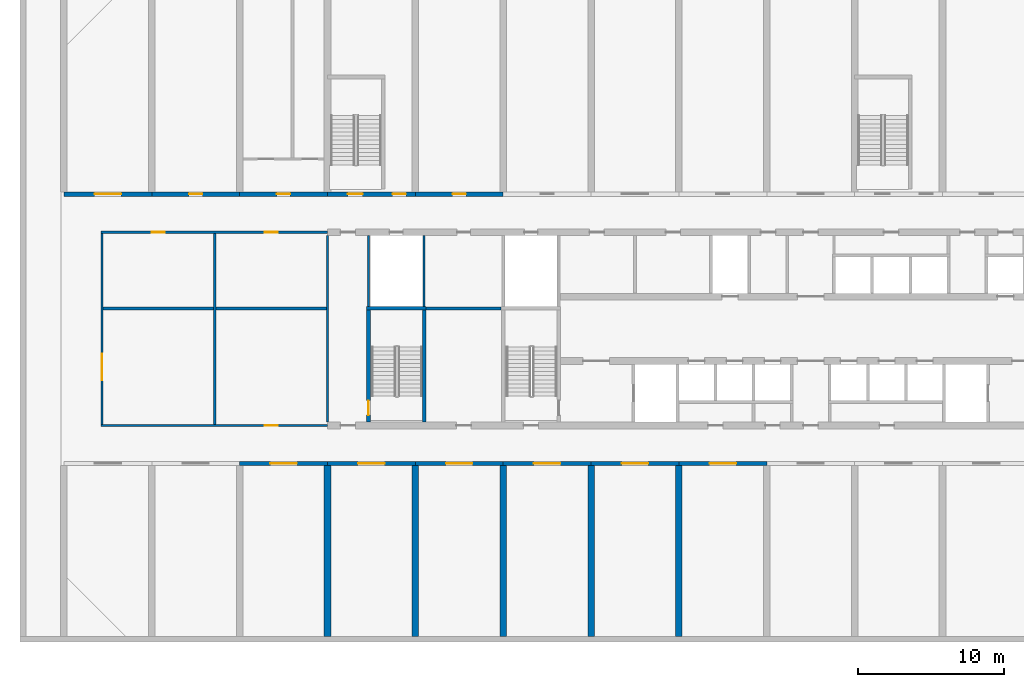
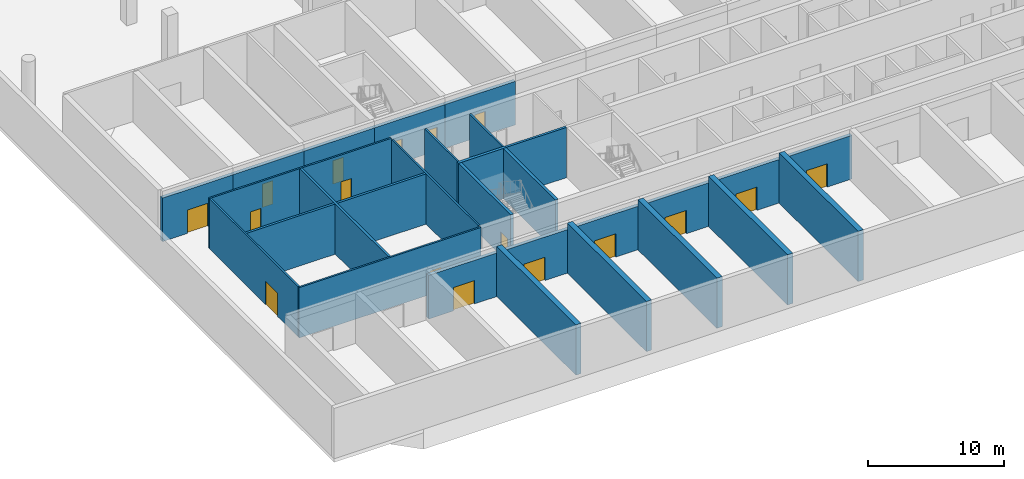
# One storey, part 6 of 20: 28 walls, 17 doors, 17 openings.
"""IFC4 building model written with IfcOpenShell, lengths in metres."""

from ifc_helpers import new_model, si_unit, direction, frame, frame_2d, origin, place, context, subcontext, project, spatial, rectangle, extrude, material, layer, layer_set, type_object, element, fill, save


model = new_model("IFC4")

# Units and contexts
model_context = context("Model", 3, precision=1e-05, world=origin(), true_north=direction((0.0, 1.0)))
body_context = subcontext(model_context, "Body", "Model", "MODEL_VIEW")
ifc_project = project(units=[si_unit("LENGTHUNIT", "METRE"), si_unit("AREAUNIT", "SQUARE_METRE"), si_unit("VOLUMEUNIT", "CUBIC_METRE"), si_unit("PLANEANGLEUNIT", "RADIAN"), si_unit("MASSUNIT", "GRAM", prefix="KILO")], contexts=[model_context])

# Site, building, storey
site_placement = place(None, origin())
site = spatial("IfcSite", under=ifc_project, at=site_placement, CompositionType="ELEMENT")
building_placement = place(site_placement, origin())
building = spatial("IfcBuilding", under=site, at=building_placement, Name="Poui Terraces", CompositionType="ELEMENT")
storey_placement = place(building_placement, frame((0.0, 0.0, 6.0)))
storey = spatial("IfcBuildingStorey", under=building, at=storey_placement, Name="L01", CompositionType="ELEMENT", Elevation=6.0)

# Walls
ifc_material_1 = material(Name="Fire-rated masonry wall", Category="masonry")
ifc_layer_1 = layer(ifc_material_1, 0.199951171875)
ifc_layer_set_1 = layer_set([ifc_layer_1], Name="Fire-rated masonry wall")
wall_type_1 = type_object("IfcWallType", Name="COMPARTMENT WALL 200", PredefinedType="PARTITIONING", material=ifc_layer_set_1)
wall_1_placement = place(storey_placement, frame((2.675048828125, 22.60009765625, 0.0), z_axis=(0.0, 0.0, 1.0), x_axis=(1.0, 0.0, 0.0)))
element("IfcWall", 1, at=wall_1_placement, inside=storey, type_object=wall_type_1, Name="COMPARTMENT WALL 200", PredefinedType="PARTITIONING", context=body_context, shape_type="SweptSolid", body=[
    extrude(rectangle(XDim=15.25, YDim=0.199951171875, at=frame_2d((7.625, 0.0))), origin(), (0.0, 0.0, 1.0), 4.52001953125),
])
wall_2_placement = place(storey_placement, frame((24.735107421875, 22.60009765625, 0.0), z_axis=(0.0, 0.0, 1.0), x_axis=(1.0, 0.0, 0.0)))
element("IfcWall", 2, at=wall_2_placement, inside=storey, type_object=wall_type_1, Name="COMPARTMENT WALL 200", PredefinedType="PARTITIONING", context=body_context, shape_type="SweptSolid", body=[
    extrude(rectangle(XDim=5.1298828125, YDim=0.199951171875, at=frame_2d((2.56494140625, 0.0))), origin(), (0.0, 0.0, 1.0), 4.52001953125),
])
wall_3_placement = place(storey_placement, frame((10.300048828125, 14.675048828125, 0.0), z_axis=(0.0, 0.0, 1.0), x_axis=(0.0, 1.0, 0.0)))
element("IfcWall", 3, at=wall_3_placement, inside=storey, type_object=wall_type_1, Name="COMPARTMENT WALL 200", PredefinedType="PARTITIONING", context=body_context, shape_type="SweptSolid", body=[
    extrude(rectangle(XDim=13.050048828125, YDim=0.199951171875, at=frame_2d((6.52490234375, 0.0))), origin(), (0.0, 0.0, 1.0), 4.52001953125),
])

# Wall, opening, door
ifc_material_2 = material(Name="Fire-rated plasterboard wall")
ifc_layer_2 = layer(ifc_material_2, 0.14990234375)
ifc_layer_set_2 = layer_set([ifc_layer_2], Name="Fire-rated plasterboard wall")
wall_type_2 = type_object("IfcWallType", Name="CORRIDOR WALL 150", PredefinedType="PARTITIONING", material=ifc_layer_set_2)
wall_4_placement = place(storey_placement, frame((2.52490234375, 14.60009765625, 0.0), z_axis=(0.0, 0.0, 1.0), x_axis=(1.0, 0.0, 0.0)))
wall_4 = element("IfcWall", 4, at=wall_4_placement, inside=storey, type_object=wall_type_2, Name="CORRIDOR WALL 150", PredefinedType="PARTITIONING", context=body_context, shape_type="SweptSolid", body=[
    extrude(rectangle(XDim=15.465087890625, YDim=0.14990234375, at=frame_2d((7.732421875, 0.0))), origin(), (0.0, 0.0, 1.0), 4.52001953125),
])
opening_1_placement = place(wall_4_placement, frame((11.175048828125, 0.0, 0.0)))
opening_1 = element("IfcOpeningElement", 5, at=opening_1_placement, cuts=wall_4, Name="Opening D90", PredefinedType="OPENING", context=body_context, shape_type="SweptSolid", body=[
    extrude(rectangle(XDim=0.89990234375, YDim=2.10009765625, at=frame_2d((0.449951171875, 1.050048828125))), frame((0.0, 0.0849609375, 0.0), z_axis=(0.0, -1.0, 0.0), x_axis=(1.0, 0.0, 0.0)), (0.0, 0.0, 1.0), 0.169921875),
])
ifc_material_3 = material(Name="Solid core timber door", Category="wood")
door_type_1 = type_object("IfcDoorType", Name="INTERNAL DOOR 900 X 2100", OperationType="NOTDEFINED", PredefinedType="DOOR", material=ifc_material_3)
door_1_placement = place(opening_1_placement, frame((0.89990234375, 0.0, 0.0), z_axis=(0.0, 0.0, 1.0), x_axis=(-1.0, 0.0, 0.0)))
door_1 = element("IfcDoor", 6, at=door_1_placement, inside=storey, type_object=door_type_1, Name="INTERNAL DOOR 044", OperationType="SINGLE_SWING_LEFT", OverallHeight=2.10009765625, OverallWidth=0.89990234375, PredefinedType="DOOR", context=body_context, shape_type="SweptSolid", body=[
    extrude(rectangle(XDim=0.89990234375, YDim=2.10009765625, at=frame_2d((0.449951171875, 1.050048828125))), frame((0.0, 0.02490234375, 0.0), z_axis=(0.0, -1.0, 0.0), x_axis=(1.0, 0.0, 0.0)), (0.0, 0.0, 1.0), 0.050048828125),
])
fill(opening_1, door_1)

# Wall, openings, doors
wall_5_placement = place(storey_placement, frame((2.52490234375, 27.800048828125, 0.0), z_axis=(0.0, 0.0, 1.0), x_axis=(1.0, 0.0, 0.0)))
wall_5 = element("IfcWall", 7, at=wall_5_placement, inside=storey, type_object=wall_type_2, Name="CORRIDOR WALL 150", PredefinedType="PARTITIONING", context=body_context, shape_type="SweptSolid", body=[
    extrude(rectangle(XDim=15.465087890625, YDim=0.14990234375, at=frame_2d((7.732421875, 0.0))), origin(), (0.0, 0.0, 1.0), 4.52001953125),
])
opening_2_placement = place(wall_5_placement, frame((3.47509765625, 0.0, 0.0)))
opening_2 = element("IfcOpeningElement", 8, at=opening_2_placement, cuts=wall_5, Name="Opening D90", PredefinedType="OPENING", context=body_context, shape_type="SweptSolid", body=[
    extrude(rectangle(XDim=0.89990234375, YDim=2.10009765625, at=frame_2d((0.449951171875, 1.050048828125))), frame((0.0, 0.0849609375, 0.0), z_axis=(0.0, -1.0, 0.0), x_axis=(1.0, 0.0, 0.0)), (0.0, 0.0, 1.0), 0.169921875),
])
opening_3_placement = place(wall_5_placement, frame((11.175048828125, 0.0, 0.0)))
opening_3 = element("IfcOpeningElement", 9, at=opening_3_placement, cuts=wall_5, Name="Opening D90", PredefinedType="OPENING", context=body_context, shape_type="SweptSolid", body=[
    extrude(rectangle(XDim=0.89990234375, YDim=2.10009765625, at=frame_2d((0.449951171875, 1.050048828125))), frame((0.0, 0.0849609375, 0.0), z_axis=(0.0, -1.0, 0.0), x_axis=(1.0, 0.0, 0.0)), (0.0, 0.0, 1.0), 0.169921875),
])
door_2_placement = place(opening_2_placement, origin())
door_2 = element("IfcDoor", 10, at=door_2_placement, inside=storey, type_object=door_type_1, Name="INTERNAL DOOR 003", OperationType="SINGLE_SWING_RIGHT", OverallHeight=2.10009765625, OverallWidth=0.89990234375, PredefinedType="DOOR", context=body_context, shape_type="SweptSolid", body=[
    extrude(rectangle(XDim=0.89990234375, YDim=2.10009765625, at=frame_2d((0.449951171875, 1.050048828125))), frame((0.0, 0.02490234375, 0.0), z_axis=(0.0, -1.0, 0.0), x_axis=(1.0, 0.0, 0.0)), (0.0, 0.0, 1.0), 0.050048828125),
])
fill(opening_2, door_2)
door_3_placement = place(opening_3_placement, origin())
door_3 = element("IfcDoor", 11, at=door_3_placement, inside=storey, type_object=door_type_1, Name="INTERNAL DOOR 005", OperationType="SINGLE_SWING_LEFT", OverallHeight=2.10009765625, OverallWidth=0.89990234375, PredefinedType="DOOR", context=body_context, shape_type="SweptSolid", body=[
    extrude(rectangle(XDim=0.89990234375, YDim=2.10009765625, at=frame_2d((0.449951171875, 1.050048828125))), frame((0.0, 0.02490234375, 0.0), z_axis=(0.0, -1.0, 0.0), x_axis=(1.0, 0.0, 0.0)), (0.0, 0.0, 1.0), 0.050048828125),
])
fill(opening_3, door_3)

# Wall, opening, door
wall_6_placement = place(storey_placement, frame((2.60009765625, 14.675048828125, 0.0), z_axis=(0.0, 0.0, 1.0), x_axis=(0.0, 1.0, 0.0)))
wall_6 = element("IfcWall", 12, at=wall_6_placement, inside=storey, type_object=wall_type_2, Name="CORRIDOR WALL 150", PredefinedType="PARTITIONING", context=body_context, shape_type="SweptSolid", body=[
    extrude(rectangle(XDim=13.050048828125, YDim=0.14990234375, at=frame_2d((6.52490234375, 0.0))), origin(), (0.0, 0.0, 1.0), 4.52001953125),
])
opening_4_placement = place(wall_6_placement, frame((3.02490234375, 0.0, 0.0)))
opening_4 = element("IfcOpeningElement", 13, at=opening_4_placement, cuts=wall_6, Name="Opening DD180", PredefinedType="OPENING", context=body_context, shape_type="SweptSolid", body=[
    extrude(rectangle(XDim=1.800048828125, YDim=2.10009765625, at=frame_2d((0.89990234375, 1.050048828125))), frame((0.0, 0.0849609375, 0.0), z_axis=(0.0, -1.0, 0.0), x_axis=(1.0, 0.0, 0.0)), (0.0, 0.0, 1.0), 0.169921875),
])
ifc_material_4 = material(Name="Steel fire door", Category="steel")
door_type_2 = type_object("IfcDoorType", Name="DOUBLE INTERNAL DOOR 1800 X 2100", OperationType="DOUBLE_DOOR_SINGLE_SWING", PredefinedType="DOOR", material=ifc_material_4)
door_4_placement = place(opening_4_placement, origin())
door_4 = element("IfcDoor", 14, at=door_4_placement, inside=storey, type_object=door_type_2, Name="DOUBLE INTERNAL DOOR 071", OperationType="DOUBLE_DOOR_SINGLE_SWING", OverallHeight=2.10009765625, OverallWidth=1.800048828125, PredefinedType="DOOR", context=body_context, shape_type="SweptSolid", body=[
    extrude(rectangle(XDim=1.800048828125, YDim=2.10009765625, at=frame_2d((0.89990234375, 1.050048828125))), frame((0.0, 0.02490234375, 0.0), z_axis=(0.0, -1.0, 0.0), x_axis=(1.0, 0.0, 0.0)), (0.0, 0.0, 1.0), 0.050048828125),
])
fill(opening_4, door_4)

# Wall
wall_7_placement = place(storey_placement, frame((18.0, 14.8349609375, 0.0), z_axis=(0.0, 0.0, 1.0), x_axis=(0.0, 1.0, 0.0)))
element("IfcWall", 15, at=wall_7_placement, inside=storey, type_object=wall_type_2, Name="CORRIDOR WALL 150", PredefinedType="PARTITIONING", context=body_context, shape_type="SweptSolid", body=[
    extrude(rectangle(XDim=12.72998046875, YDim=0.14990234375, at=frame_2d((6.364990234375, 0.0))), origin(), (0.0, 0.0, 1.0), 4.52001953125),
])

# Wall, opening, door
ifc_material_5 = material(Name="Concrete 80 MPa", Category="concrete")
ifc_layer_3 = layer(ifc_material_5, 0.300048828125)
ifc_layer_set_3 = layer_set([ifc_layer_3], Name="Concrete 80 MPa")
wall_type_3 = type_object("IfcWallType", Name="CORRIDOR WALL 300 80MPa", PredefinedType="SHEAR", material=ifc_layer_set_3)
wall_8_placement = place(storey_placement, frame((12.0, 12.0, 0.0), z_axis=(0.0, 0.0, 1.0), x_axis=(1.0, 0.0, 0.0)))
wall_8 = element("IfcWall", 16, at=wall_8_placement, inside=storey, type_object=wall_type_3, Name="CORRIDOR WALL LINE B BAY 3", PredefinedType="SHEAR", context=body_context, shape_type="SweptSolid", body=[
    extrude(rectangle(XDim=6.0, YDim=0.300048828125, at=frame_2d((3.0, 0.0))), origin(), (0.0, 0.0, 1.0), 3.919921875),
])
opening_5_placement = place(wall_8_placement, frame((2.10009765625, 0.0, 0.0)))
opening_5 = element("IfcOpeningElement", 17, at=opening_5_placement, cuts=wall_8, Name="Opening DD180", PredefinedType="OPENING", context=body_context, shape_type="SweptSolid", body=[
    extrude(rectangle(XDim=1.800048828125, YDim=2.10009765625, at=frame_2d((0.89990234375, 1.050048828125))), frame((0.0, 0.16015625, 0.0), z_axis=(0.0, -1.0, 0.0), x_axis=(1.0, 0.0, 0.0)), (0.0, 0.0, 1.0), 0.320068359375),
])
door_5_placement = place(opening_5_placement, origin())
door_5 = element("IfcDoor", 18, at=door_5_placement, inside=storey, type_object=door_type_2, Name="DOUBLE INTERNAL DOOR 045", OperationType="DOUBLE_DOOR_SINGLE_SWING", OverallHeight=2.10009765625, OverallWidth=1.800048828125, PredefinedType="DOOR", context=body_context, shape_type="SweptSolid", body=[
    extrude(rectangle(XDim=1.800048828125, YDim=2.10009765625, at=frame_2d((0.89990234375, 1.050048828125))), frame((0.0, 0.02490234375, 0.0), z_axis=(0.0, -1.0, 0.0), x_axis=(1.0, 0.0, 0.0)), (0.0, 0.0, 1.0), 0.050048828125),
])
fill(opening_5, door_5)

wall_9_placement = place(storey_placement, frame((18.0, 12.0, 0.0), z_axis=(0.0, 0.0, 1.0), x_axis=(1.0, 0.0, 0.0)))
wall_9 = element("IfcWall", 19, at=wall_9_placement, inside=storey, type_object=wall_type_3, Name="CORRIDOR WALL LINE B BAY 4", PredefinedType="SHEAR", context=body_context, shape_type="SweptSolid", body=[
    extrude(rectangle(XDim=6.0, YDim=0.300048828125, at=frame_2d((3.0, 0.0))), origin(), (0.0, 0.0, 1.0), 3.919921875),
])
opening_6_placement = place(wall_9_placement, frame((2.10009765625, 0.0, 0.0)))
opening_6 = element("IfcOpeningElement", 20, at=opening_6_placement, cuts=wall_9, Name="Opening DD180", PredefinedType="OPENING", context=body_context, shape_type="SweptSolid", body=[
    extrude(rectangle(XDim=1.800048828125, YDim=2.10009765625, at=frame_2d((0.89990234375, 1.050048828125))), frame((0.0, 0.16015625, 0.0), z_axis=(0.0, -1.0, 0.0), x_axis=(1.0, 0.0, 0.0)), (0.0, 0.0, 1.0), 0.320068359375),
])
door_6_placement = place(opening_6_placement, origin())
door_6 = element("IfcDoor", 21, at=door_6_placement, inside=storey, type_object=door_type_2, Name="DOUBLE INTERNAL DOOR 047", OperationType="DOUBLE_DOOR_SINGLE_SWING", OverallHeight=2.10009765625, OverallWidth=1.800048828125, PredefinedType="DOOR", context=body_context, shape_type="SweptSolid", body=[
    extrude(rectangle(XDim=1.800048828125, YDim=2.10009765625, at=frame_2d((0.89990234375, 1.050048828125))), frame((0.0, 0.02490234375, 0.0), z_axis=(0.0, -1.0, 0.0), x_axis=(1.0, 0.0, 0.0)), (0.0, 0.0, 1.0), 0.050048828125),
])
fill(opening_6, door_6)

wall_10_placement = place(storey_placement, frame((24.0, 12.0, 0.0), z_axis=(0.0, 0.0, 1.0), x_axis=(1.0, 0.0, 0.0)))
wall_10 = element("IfcWall", 22, at=wall_10_placement, inside=storey, type_object=wall_type_3, Name="CORRIDOR WALL LINE B BAY 5", PredefinedType="SHEAR", context=body_context, shape_type="SweptSolid", body=[
    extrude(rectangle(XDim=6.0, YDim=0.300048828125, at=frame_2d((3.0, 0.0))), origin(), (0.0, 0.0, 1.0), 3.919921875),
])
opening_7_placement = place(wall_10_placement, frame((2.10009765625, 0.0, 0.0)))
opening_7 = element("IfcOpeningElement", 23, at=opening_7_placement, cuts=wall_10, Name="Opening DD180", PredefinedType="OPENING", context=body_context, shape_type="SweptSolid", body=[
    extrude(rectangle(XDim=1.800048828125, YDim=2.10009765625, at=frame_2d((0.89990234375, 1.050048828125))), frame((0.0, 0.16015625, 0.0), z_axis=(0.0, -1.0, 0.0), x_axis=(1.0, 0.0, 0.0)), (0.0, 0.0, 1.0), 0.320068359375),
])
door_7_placement = place(opening_7_placement, origin())
door_7 = element("IfcDoor", 24, at=door_7_placement, inside=storey, type_object=door_type_2, Name="DOUBLE INTERNAL DOOR 048", OperationType="DOUBLE_DOOR_SINGLE_SWING", OverallHeight=2.10009765625, OverallWidth=1.800048828125, PredefinedType="DOOR", context=body_context, shape_type="SweptSolid", body=[
    extrude(rectangle(XDim=1.800048828125, YDim=2.10009765625, at=frame_2d((0.89990234375, 1.050048828125))), frame((0.0, 0.02490234375, 0.0), z_axis=(0.0, -1.0, 0.0), x_axis=(1.0, 0.0, 0.0)), (0.0, 0.0, 1.0), 0.050048828125),
])
fill(opening_7, door_7)

wall_11_placement = place(storey_placement, frame((30.0, 12.0, 0.0), z_axis=(0.0, 0.0, 1.0), x_axis=(1.0, 0.0, 0.0)))
wall_11 = element("IfcWall", 25, at=wall_11_placement, inside=storey, type_object=wall_type_3, Name="CORRIDOR WALL LINE B BAY 6", PredefinedType="SHEAR", context=body_context, shape_type="SweptSolid", body=[
    extrude(rectangle(XDim=6.0, YDim=0.300048828125, at=frame_2d((3.0, 0.0))), origin(), (0.0, 0.0, 1.0), 3.919921875),
])
opening_8_placement = place(wall_11_placement, frame((2.10009765625, 0.0, 0.0)))
opening_8 = element("IfcOpeningElement", 26, at=opening_8_placement, cuts=wall_11, Name="Opening DD180", PredefinedType="OPENING", context=body_context, shape_type="SweptSolid", body=[
    extrude(rectangle(XDim=1.800048828125, YDim=2.10009765625, at=frame_2d((0.89990234375, 1.050048828125))), frame((0.0, 0.16015625, 0.0), z_axis=(0.0, -1.0, 0.0), x_axis=(1.0, 0.0, 0.0)), (0.0, 0.0, 1.0), 0.320068359375),
])
door_8_placement = place(opening_8_placement, origin())
door_8 = element("IfcDoor", 27, at=door_8_placement, inside=storey, type_object=door_type_2, Name="DOUBLE INTERNAL DOOR 051", OperationType="DOUBLE_DOOR_SINGLE_SWING", OverallHeight=2.10009765625, OverallWidth=1.800048828125, PredefinedType="DOOR", context=body_context, shape_type="SweptSolid", body=[
    extrude(rectangle(XDim=1.800048828125, YDim=2.10009765625, at=frame_2d((0.89990234375, 1.050048828125))), frame((0.0, 0.02490234375, 0.0), z_axis=(0.0, -1.0, 0.0), x_axis=(1.0, 0.0, 0.0)), (0.0, 0.0, 1.0), 0.050048828125),
])
fill(opening_8, door_8)

wall_12_placement = place(storey_placement, frame((36.0, 12.0, 0.0), z_axis=(0.0, 0.0, 1.0), x_axis=(1.0, 0.0, 0.0)))
wall_12 = element("IfcWall", 28, at=wall_12_placement, inside=storey, type_object=wall_type_3, Name="CORRIDOR WALL LINE B BAY 7", PredefinedType="SHEAR", context=body_context, shape_type="SweptSolid", body=[
    extrude(rectangle(XDim=6.0, YDim=0.300048828125, at=frame_2d((3.0, 0.0))), origin(), (0.0, 0.0, 1.0), 3.919921875),
])
opening_9_placement = place(wall_12_placement, frame((2.10009765625, 0.0, 0.0)))
opening_9 = element("IfcOpeningElement", 29, at=opening_9_placement, cuts=wall_12, Name="Opening DD180", PredefinedType="OPENING", context=body_context, shape_type="SweptSolid", body=[
    extrude(rectangle(XDim=1.800048828125, YDim=2.10009765625, at=frame_2d((0.89990234375, 1.050048828125))), frame((0.0, 0.16015625, 0.0), z_axis=(0.0, -1.0, 0.0), x_axis=(1.0, 0.0, 0.0)), (0.0, 0.0, 1.0), 0.320068359375),
])
door_9_placement = place(opening_9_placement, origin())
door_9 = element("IfcDoor", 30, at=door_9_placement, inside=storey, type_object=door_type_2, Name="DOUBLE INTERNAL DOOR 052", OperationType="DOUBLE_DOOR_SINGLE_SWING", OverallHeight=2.10009765625, OverallWidth=1.800048828125, PredefinedType="DOOR", context=body_context, shape_type="SweptSolid", body=[
    extrude(rectangle(XDim=1.800048828125, YDim=2.10009765625, at=frame_2d((0.89990234375, 1.050048828125))), frame((0.0, 0.02490234375, 0.0), z_axis=(0.0, -1.0, 0.0), x_axis=(1.0, 0.0, 0.0)), (0.0, 0.0, 1.0), 0.050048828125),
])
fill(opening_9, door_9)

wall_13_placement = place(storey_placement, frame((42.0, 12.0, 0.0), z_axis=(0.0, 0.0, 1.0), x_axis=(1.0, 0.0, 0.0)))
wall_13 = element("IfcWall", 31, at=wall_13_placement, inside=storey, type_object=wall_type_3, Name="CORRIDOR WALL LINE B BAY 8", PredefinedType="SHEAR", context=body_context, shape_type="SweptSolid", body=[
    extrude(rectangle(XDim=6.0, YDim=0.300048828125, at=frame_2d((3.0, 0.0))), origin(), (0.0, 0.0, 1.0), 3.919921875),
])
opening_10_placement = place(wall_13_placement, frame((2.10009765625, 0.0, 0.0)))
opening_10 = element("IfcOpeningElement", 32, at=opening_10_placement, cuts=wall_13, Name="Opening DD180", PredefinedType="OPENING", context=body_context, shape_type="SweptSolid", body=[
    extrude(rectangle(XDim=1.800048828125, YDim=2.10009765625, at=frame_2d((0.89990234375, 1.050048828125))), frame((0.0, 0.16015625, 0.0), z_axis=(0.0, -1.0, 0.0), x_axis=(1.0, 0.0, 0.0)), (0.0, 0.0, 1.0), 0.320068359375),
])
door_10_placement = place(opening_10_placement, origin())
door_10 = element("IfcDoor", 33, at=door_10_placement, inside=storey, type_object=door_type_2, Name="DOUBLE INTERNAL DOOR 054", OperationType="DOUBLE_DOOR_SINGLE_SWING", OverallHeight=2.10009765625, OverallWidth=1.800048828125, PredefinedType="DOOR", context=body_context, shape_type="SweptSolid", body=[
    extrude(rectangle(XDim=1.800048828125, YDim=2.10009765625, at=frame_2d((0.89990234375, 1.050048828125))), frame((0.0, 0.02490234375, 0.0), z_axis=(0.0, -1.0, 0.0), x_axis=(1.0, 0.0, 0.0)), (0.0, 0.0, 1.0), 0.050048828125),
])
fill(opening_10, door_10)

wall_14_placement = place(storey_placement, frame((0.0, 30.39990234375, 0.0), z_axis=(0.0, 0.0, 1.0), x_axis=(1.0, 0.0, 0.0)))
wall_14 = element("IfcWall", 34, at=wall_14_placement, inside=storey, type_object=wall_type_3, Name="CORRIDOR WALL LINE E BAY 1", PredefinedType="SHEAR", context=body_context, shape_type="SweptSolid", body=[
    extrude(rectangle(XDim=6.0, YDim=0.300048828125, at=frame_2d((3.0, 0.0))), origin(), (0.0, 0.0, 1.0), 3.919921875),
])
opening_11_placement = place(wall_14_placement, frame((2.10009765625, 0.0, 0.0)))
opening_11 = element("IfcOpeningElement", 35, at=opening_11_placement, cuts=wall_14, Name="Opening DD180", PredefinedType="OPENING", context=body_context, shape_type="SweptSolid", body=[
    extrude(rectangle(XDim=1.800048828125, YDim=2.10009765625, at=frame_2d((0.89990234375, 1.050048828125))), frame((0.0, 0.16015625, 0.0), z_axis=(0.0, -1.0, 0.0), x_axis=(1.0, 0.0, 0.0)), (0.0, 0.0, 1.0), 0.320068359375),
])
door_11_placement = place(opening_11_placement, frame((1.800048828125, 0.0, 0.0), z_axis=(0.0, 0.0, 1.0), x_axis=(-1.0, 0.0, 0.0)))
door_11 = element("IfcDoor", 36, at=door_11_placement, inside=storey, type_object=door_type_2, Name="DOUBLE INTERNAL DOOR 002", OperationType="DOUBLE_DOOR_SINGLE_SWING", OverallHeight=2.10009765625, OverallWidth=1.800048828125, PredefinedType="DOOR", context=body_context, shape_type="SweptSolid", body=[
    extrude(rectangle(XDim=1.800048828125, YDim=2.10009765625, at=frame_2d((0.89990234375, 1.050048828125))), frame((0.0, 0.02490234375, 0.0), z_axis=(0.0, -1.0, 0.0), x_axis=(1.0, 0.0, 0.0)), (0.0, 0.0, 1.0), 0.050048828125),
])
fill(opening_11, door_11)

wall_15_placement = place(storey_placement, frame((6.0, 30.39990234375, 0.0), z_axis=(0.0, 0.0, 1.0), x_axis=(1.0, 0.0, 0.0)))
wall_15 = element("IfcWall", 37, at=wall_15_placement, inside=storey, type_object=wall_type_3, Name="CORRIDOR WALL LINE E BAY 2", PredefinedType="SHEAR", context=body_context, shape_type="SweptSolid", body=[
    extrude(rectangle(XDim=6.0, YDim=0.300048828125, at=frame_2d((3.0, 0.0))), origin(), (0.0, 0.0, 1.0), 3.919921875),
])
opening_12_placement = place(wall_15_placement, frame((2.550048828125, 0.0, 0.0)))
opening_12 = element("IfcOpeningElement", 38, at=opening_12_placement, cuts=wall_15, Name="Opening D90", PredefinedType="OPENING", context=body_context, shape_type="SweptSolid", body=[
    extrude(rectangle(XDim=0.89990234375, YDim=2.10009765625, at=frame_2d((0.449951171875, 1.050048828125))), frame((0.0, 0.16015625, 0.0), z_axis=(0.0, -1.0, 0.0), x_axis=(1.0, 0.0, 0.0)), (0.0, 0.0, 1.0), 0.320068359375),
])
door_12_placement = place(opening_12_placement, frame((0.89990234375, 0.0, 0.0), z_axis=(0.0, 0.0, 1.0), x_axis=(-1.0, 0.0, 0.0)))
door_12 = element("IfcDoor", 39, at=door_12_placement, inside=storey, type_object=door_type_1, Name="INTERNAL DOOR 004", OperationType="SINGLE_SWING_RIGHT", OverallHeight=2.10009765625, OverallWidth=0.89990234375, PredefinedType="DOOR", context=body_context, shape_type="SweptSolid", body=[
    extrude(rectangle(XDim=0.89990234375, YDim=2.10009765625, at=frame_2d((0.449951171875, 1.050048828125))), frame((0.0, 0.02490234375, 0.0), z_axis=(0.0, -1.0, 0.0), x_axis=(1.0, 0.0, 0.0)), (0.0, 0.0, 1.0), 0.050048828125),
])
fill(opening_12, door_12)

wall_16_placement = place(storey_placement, frame((12.0, 30.39990234375, 0.0), z_axis=(0.0, 0.0, 1.0), x_axis=(1.0, 0.0, 0.0)))
wall_16 = element("IfcWall", 40, at=wall_16_placement, inside=storey, type_object=wall_type_3, Name="CORRIDOR WALL LINE E BAY 3", PredefinedType="SHEAR", context=body_context, shape_type="SweptSolid", body=[
    extrude(rectangle(XDim=6.0, YDim=0.300048828125, at=frame_2d((3.0, 0.0))), origin(), (0.0, 0.0, 1.0), 3.919921875),
])
opening_13_placement = place(wall_16_placement, frame((2.550048828125, 0.0, 0.0)))
opening_13 = element("IfcOpeningElement", 41, at=opening_13_placement, cuts=wall_16, Name="Opening D90", PredefinedType="OPENING", context=body_context, shape_type="SweptSolid", body=[
    extrude(rectangle(XDim=0.89990234375, YDim=2.10009765625, at=frame_2d((0.449951171875, 1.050048828125))), frame((0.0, 0.16015625, 0.0), z_axis=(0.0, -1.0, 0.0), x_axis=(1.0, 0.0, 0.0)), (0.0, 0.0, 1.0), 0.320068359375),
])
door_13_placement = place(opening_13_placement, frame((0.89990234375, 0.0, 0.0), z_axis=(0.0, 0.0, 1.0), x_axis=(-1.0, 0.0, 0.0)))
door_13 = element("IfcDoor", 42, at=door_13_placement, inside=storey, type_object=door_type_1, Name="INTERNAL DOOR 006", OperationType="SINGLE_SWING_LEFT", OverallHeight=2.10009765625, OverallWidth=0.89990234375, PredefinedType="DOOR", context=body_context, shape_type="SweptSolid", body=[
    extrude(rectangle(XDim=0.89990234375, YDim=2.10009765625, at=frame_2d((0.449951171875, 1.050048828125))), frame((0.0, 0.02490234375, 0.0), z_axis=(0.0, -1.0, 0.0), x_axis=(1.0, 0.0, 0.0)), (0.0, 0.0, 1.0), 0.050048828125),
])
fill(opening_13, door_13)

# Wall, openings, doors
wall_17_placement = place(storey_placement, frame((18.0, 30.39990234375, 0.0), z_axis=(0.0, 0.0, 1.0), x_axis=(1.0, 0.0, 0.0)))
wall_17 = element("IfcWall", 43, at=wall_17_placement, inside=storey, type_object=wall_type_3, Name="CORRIDOR WALL LINE E BAY 4", PredefinedType="SHEAR", context=body_context, shape_type="SweptSolid", body=[
    extrude(rectangle(XDim=6.0, YDim=0.300048828125, at=frame_2d((3.0, 0.0))), origin(), (0.0, 0.0, 1.0), 3.919921875),
])
opening_14_placement = place(wall_17_placement, frame((1.39990234375, 0.0, 0.0)))
opening_14 = element("IfcOpeningElement", 44, at=opening_14_placement, cuts=wall_17, Name="Opening FD60S", PredefinedType="OPENING", context=body_context, shape_type="SweptSolid", body=[
    extrude(rectangle(XDim=1.0, YDim=2.10009765625, at=frame_2d((0.5, 1.050048828125))), frame((0.0, 0.16015625, 0.0), z_axis=(0.0, -1.0, 0.0), x_axis=(1.0, 0.0, 0.0)), (0.0, 0.0, 1.0), 0.320068359375),
])
opening_15_placement = place(wall_17_placement, frame((4.449951171875, 0.0, 0.0)))
opening_15 = element("IfcOpeningElement", 45, at=opening_15_placement, cuts=wall_17, Name="Opening D90", PredefinedType="OPENING", context=body_context, shape_type="SweptSolid", body=[
    extrude(rectangle(XDim=0.89990234375, YDim=2.10009765625, at=frame_2d((0.449951171875, 1.050048828125))), frame((0.0, 0.16015625, 0.0), z_axis=(0.0, -1.0, 0.0), x_axis=(1.0, 0.0, 0.0)), (0.0, 0.0, 1.0), 0.320068359375),
])
door_14_placement = place(opening_15_placement, frame((0.89990234375, 0.0, 0.0), z_axis=(0.0, 0.0, 1.0), x_axis=(-1.0, 0.0, 0.0)))
door_14 = element("IfcDoor", 46, at=door_14_placement, inside=storey, type_object=door_type_1, Name="INTERNAL DOOR 010", OperationType="SINGLE_SWING_LEFT", OverallHeight=2.10009765625, OverallWidth=0.89990234375, PredefinedType="DOOR", context=body_context, shape_type="SweptSolid", body=[
    extrude(rectangle(XDim=0.89990234375, YDim=2.10009765625, at=frame_2d((0.449951171875, 1.050048828125))), frame((0.0, 0.02490234375, 0.0), z_axis=(0.0, -1.0, 0.0), x_axis=(1.0, 0.0, 0.0)), (0.0, 0.0, 1.0), 0.050048828125),
])
fill(opening_15, door_14)
door_type_3 = type_object("IfcDoorType", Name="STAIR DOOR 1000 X 2100", OperationType="NOTDEFINED", PredefinedType="DOOR", material=ifc_material_4)
door_15_placement = place(opening_14_placement, origin())
door_15 = element("IfcDoor", 47, at=door_15_placement, inside=storey, type_object=door_type_3, Name="STAIR DOOR 008", OperationType="SINGLE_SWING_LEFT", OverallHeight=2.10009765625, OverallWidth=1.0, PredefinedType="DOOR", context=body_context, shape_type="SweptSolid", body=[
    extrude(rectangle(XDim=1.0, YDim=2.10009765625, at=frame_2d((0.5, 1.050048828125))), frame((0.0, 0.02490234375, 0.0), z_axis=(0.0, -1.0, 0.0), x_axis=(1.0, 0.0, 0.0)), (0.0, 0.0, 1.0), 0.050048828125),
])
fill(opening_14, door_15)

# Wall, opening, door
wall_18_placement = place(storey_placement, frame((24.0, 30.39990234375, 0.0), z_axis=(0.0, 0.0, 1.0), x_axis=(1.0, 0.0, 0.0)))
wall_18 = element("IfcWall", 48, at=wall_18_placement, inside=storey, type_object=wall_type_3, Name="CORRIDOR WALL LINE E BAY 5", PredefinedType="SHEAR", context=body_context, shape_type="SweptSolid", body=[
    extrude(rectangle(XDim=6.0, YDim=0.300048828125, at=frame_2d((3.0, 0.0))), origin(), (0.0, 0.0, 1.0), 3.919921875),
])
opening_16_placement = place(wall_18_placement, frame((2.550048828125, 0.0, 0.0)))
opening_16 = element("IfcOpeningElement", 49, at=opening_16_placement, cuts=wall_18, Name="Opening D90", PredefinedType="OPENING", context=body_context, shape_type="SweptSolid", body=[
    extrude(rectangle(XDim=0.89990234375, YDim=2.10009765625, at=frame_2d((0.449951171875, 1.050048828125))), frame((0.0, 0.16015625, 0.0), z_axis=(0.0, -1.0, 0.0), x_axis=(1.0, 0.0, 0.0)), (0.0, 0.0, 1.0), 0.320068359375),
])
door_16_placement = place(opening_16_placement, frame((0.89990234375, 0.0, 0.0), z_axis=(0.0, 0.0, 1.0), x_axis=(-1.0, 0.0, 0.0)))
door_16 = element("IfcDoor", 50, at=door_16_placement, inside=storey, type_object=door_type_1, Name="INTERNAL DOOR 011", OperationType="SINGLE_SWING_RIGHT", OverallHeight=2.10009765625, OverallWidth=0.89990234375, PredefinedType="DOOR", context=body_context, shape_type="SweptSolid", body=[
    extrude(rectangle(XDim=0.89990234375, YDim=2.10009765625, at=frame_2d((0.449951171875, 1.050048828125))), frame((0.0, 0.02490234375, 0.0), z_axis=(0.0, -1.0, 0.0), x_axis=(1.0, 0.0, 0.0)), (0.0, 0.0, 1.0), 0.050048828125),
])
fill(opening_16, door_16)

# Walls
ifc_layer_4 = layer(ifc_material_5, 0.449951171875)
ifc_layer_set_4 = layer_set([ifc_layer_4], Name="Concrete 80 MPa")
wall_type_4 = type_object("IfcWallType", Name="CROSS WALL 450 80MPa", PredefinedType="SHEAR", material=ifc_layer_set_4)
for number, where, z_axis, x_axis, name in (
    (51, (18.0, 0.199951171875, 0.0), (0.0, 0.0, 1.0), (0.0, 1.0, 0.0), "CROSS WALL LINE 4 SOUTH"),
    (52, (24.0, 0.199951171875, 0.0), (0.0, 0.0, 1.0), (0.0, 1.0, 0.0), "CROSS WALL LINE 5 SOUTH"),
    (53, (30.0, 0.199951171875, 0.0), (0.0, 0.0, 1.0), (0.0, 1.0, 0.0), "CROSS WALL LINE 6 SOUTH"),
    (54, (36.0, 0.199951171875, 0.0), (0.0, 0.0, 1.0), (0.0, 1.0, 0.0), "CROSS WALL LINE 7 SOUTH"),
    (55, (42.0, 0.199951171875, 0.0), (0.0, 0.0, 1.0), (0.0, 1.0, 0.0), "CROSS WALL LINE 8 SOUTH"),
):
    element("IfcWall", number, at=place(storey_placement, frame(where, z_axis=z_axis, x_axis=x_axis)), inside=storey, type_object=wall_type_4, Name=name, PredefinedType="SHEAR", context=body_context, shape_type="SweptSolid", body=[
        extrude(rectangle(XDim=11.650146484375, YDim=0.449951171875, at=frame_2d((5.8251953125, 0.0))), origin(), (0.0, 0.0, 1.0), 4.52001953125),
    ])
ifc_material_6 = material(Name="Fire-rated plasterboard riser wall")
ifc_layer_5 = layer(ifc_material_6, 0.14990234375)
ifc_layer_set_5 = layer_set([ifc_layer_5], Name="Fire-rated plasterboard riser wall")
wall_type_5 = type_object("IfcWallType", Name="RISER WALL 150", PredefinedType="PARTITIONING", material=ifc_layer_set_5)
for number, where, z_axis, x_axis, name in (
    (56, (20.800048828125, 22.735107421875, 0.0), (0.0, 0.0, 1.0), (0.0, 1.0, 0.0), "RISER WALL 150"),
    (57, (24.60009765625, 22.735107421875, 0.0), (0.0, 0.0, 1.0), (0.0, 1.0, 0.0), "RISER WALL 150"),
):
    element("IfcWall", number, at=place(storey_placement, frame(where, z_axis=z_axis, x_axis=x_axis)), inside=storey, type_object=wall_type_5, Name=name, PredefinedType="PARTITIONING", context=body_context, shape_type="SweptSolid", body=[
        extrude(rectangle(XDim=4.829833984375, YDim=0.14990234375, at=frame_2d((2.4150390625, 0.0))), origin(), (0.0, 0.0, 1.0), 4.52001953125),
    ])

# Wall, opening, door
ifc_layer_6 = layer(ifc_material_5, 0.25)
ifc_layer_set_6 = layer_set([ifc_layer_6], Name="Concrete 80 MPa")
wall_type_6 = type_object("IfcWallType", Name="STAIR CORE WALL 250 80 MPA", PredefinedType="SOLIDWALL", material=ifc_layer_set_6)
wall_19_placement = place(storey_placement, frame((20.800048828125, 14.824951171875, 0.0), z_axis=(0.0, 0.0, 1.0), x_axis=(0.0, 1.0, 0.0)))
wall_19 = element("IfcWall", 58, at=wall_19_placement, inside=storey, type_object=wall_type_6, Name="STAIR CORE WALL", PredefinedType="SOLIDWALL", context=body_context, shape_type="SweptSolid", body=[
    extrude(rectangle(XDim=7.650146484375, YDim=0.25, at=frame_2d((3.8251953125, 0.0))), origin(), (0.0, 0.0, 1.0), 4.52001953125),
])
opening_17_placement = place(wall_19_placement, frame((0.47509765625, 0.0, 0.0)))
opening_17 = element("IfcOpeningElement", 59, at=opening_17_placement, cuts=wall_19, Name="Opening FD60S", PredefinedType="OPENING", context=body_context, shape_type="SweptSolid", body=[
    extrude(rectangle(XDim=1.0, YDim=2.10009765625, at=frame_2d((0.5, 1.050048828125))), frame((0.0, 0.135009765625, 0.0), z_axis=(0.0, -1.0, 0.0), x_axis=(1.0, 0.0, 0.0)), (0.0, 0.0, 1.0), 0.27001953125),
])
door_17_placement = place(opening_17_placement, frame((1.0, 0.0, 0.0), z_axis=(0.0, 0.0, 1.0), x_axis=(-1.0, 0.0, 0.0)))
door_17 = element("IfcDoor", 60, at=door_17_placement, inside=storey, type_object=door_type_3, Name="STAIR DOOR 100", OperationType="SINGLE_SWING_RIGHT", OverallHeight=2.10009765625, OverallWidth=1.0, PredefinedType="DOOR", context=body_context, shape_type="SweptSolid", body=[
    extrude(rectangle(XDim=1.0, YDim=2.10009765625, at=frame_2d((0.5, 1.050048828125))), frame((0.0, 0.02490234375, 0.0), z_axis=(0.0, -1.0, 0.0), x_axis=(1.0, 0.0, 0.0)), (0.0, 0.0, 1.0), 0.050048828125),
])
fill(opening_17, door_17)

# Walls
wall_20_placement = place(storey_placement, frame((24.60009765625, 14.824951171875, 0.0), z_axis=(0.0, 0.0, 1.0), x_axis=(0.0, 1.0, 0.0)))
element("IfcWall", 61, at=wall_20_placement, inside=storey, type_object=wall_type_6, Name="STAIR CORE WALL", PredefinedType="SOLIDWALL", context=body_context, shape_type="SweptSolid", body=[
    extrude(rectangle(XDim=7.650146484375, YDim=0.25, at=frame_2d((3.8251953125, 0.0))), origin(), (0.0, 0.0, 1.0), 4.52001953125),
])
wall_21_placement = place(storey_placement, frame((20.675048828125, 22.60009765625, 0.0), z_axis=(0.0, 0.0, 1.0), x_axis=(1.0, 0.0, 0.0)))
element("IfcWall", 62, at=wall_21_placement, inside=storey, type_object=wall_type_6, Name="STAIR CORE WALL", PredefinedType="SOLIDWALL", context=body_context, shape_type="SweptSolid", body=[
    extrude(rectangle(XDim=4.050048828125, YDim=0.25, at=frame_2d((2.02490234375, 0.0))), origin(), (0.0, 0.0, 1.0), 4.52001953125),
])

save(model, "model.ifc")
